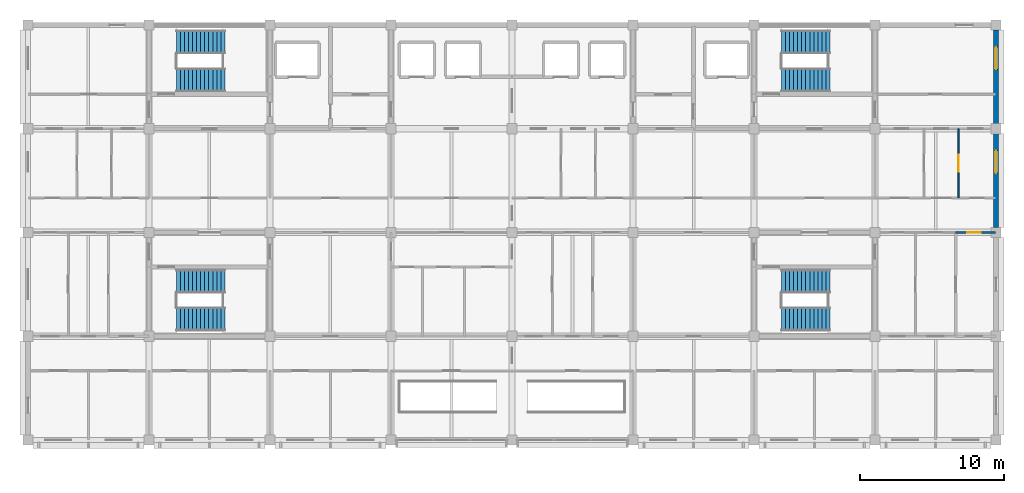
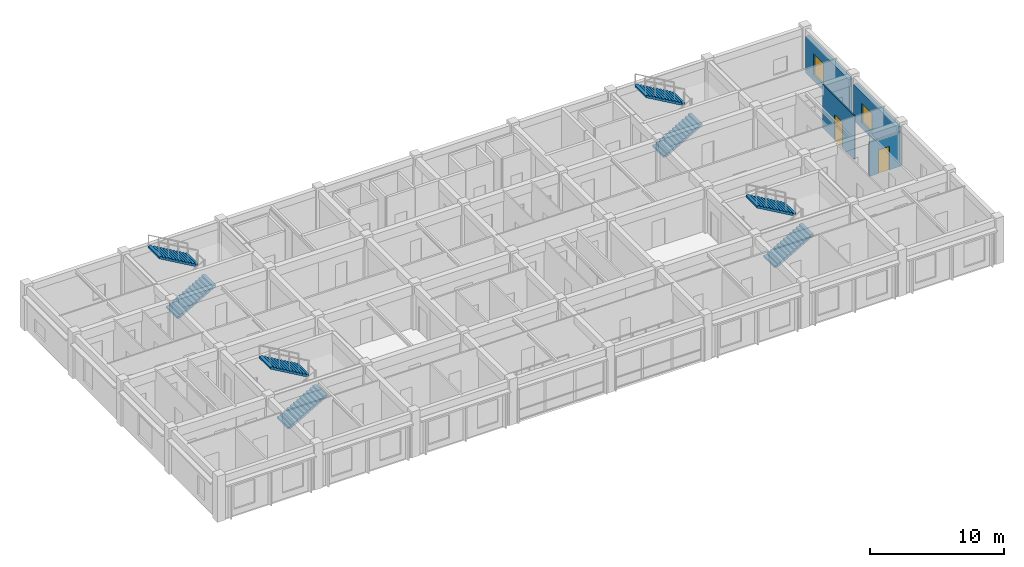
# One storey, part 15 of 17: 8 stair flights, 4 walls, 2 doors, 2 windows, 4 openings, 4 elements without a shape of their own.
"""IFC4 building model written with IfcOpenShell, lengths in metres."""

from ifc_helpers import new_model, si_unit, direction, frame, frame_2d, origin, place, context, subcontext, project, spatial, polyline, rectangle, outline, extrude, material, layer, layer_set, type_object, element, fill, aggregate, save


model = new_model("IFC4")

# Units and contexts
model_context = context("Model", 3, precision=1e-05, world=origin(), true_north=direction((0.0, 1.0)))
body_context = subcontext(model_context, "Body", "Model", "MODEL_VIEW")
ifc_project = project(units=[si_unit("LENGTHUNIT", "METRE"), si_unit("AREAUNIT", "SQUARE_METRE"), si_unit("VOLUMEUNIT", "CUBIC_METRE"), si_unit("PLANEANGLEUNIT", "RADIAN"), si_unit("MASSUNIT", "GRAM", prefix="KILO")], contexts=[model_context])

# Site, building, storey
site_placement = place(None, origin())
site = spatial("IfcSite", under=ifc_project, at=site_placement, CompositionType="ELEMENT")
building_placement = place(site_placement, origin())
building = spatial("IfcBuilding", under=site, at=building_placement, Name="Chengyuan Square Courthouse", CompositionType="ELEMENT")
storey_placement = place(building_placement, frame((0.0, 0.0, 51.89990234375)))
storey = spatial("IfcBuildingStorey", under=building, at=storey_placement, Name="L12", CompositionType="ELEMENT", Elevation=51.89990234375)

# Wall, opening, window
ifc_material_1 = material(Name="Concrete C40", Category="concrete")
ifc_layer_1 = layer(ifc_material_1, 0.320068359375)
ifc_layer_set_1 = layer_set([ifc_layer_1], Name="Concrete C40")
wall_type_1 = type_object("IfcWallType", Name="WL-EW3", PredefinedType="STANDARD", material=ifc_layer_set_1)
wall_1_placement = place(storey_placement, frame((117.60009765625, 93.945068359375, 0.0), z_axis=(0.0, 0.0, 1.0), x_axis=(0.0, 1.0, 0.0)))
wall_1 = element("IfcWall", 1, at=wall_1_placement, inside=storey, type_object=wall_type_1, Name="Exterior Wall WL-L12-E485", PredefinedType="STANDARD", context=body_context, shape_type="SweptSolid", body=[
    extrude(rectangle(XDim=6.510009765625, YDim=0.320068359375, at=frame_2d((3.2548828125, 0.0))), origin(), (0.0, 0.0, 1.0), 3.31005859375),
])
opening_1_placement = place(wall_1_placement, frame((3.780029296875, 0.0, 0.550048828125)))
opening_1 = element("IfcOpeningElement", 2, at=opening_1_placement, cuts=wall_1, Name="Opening WN-217", PredefinedType="OPENING", context=body_context, shape_type="SweptSolid", body=[
    extrude(rectangle(XDim=1.550048828125, YDim=1.739990234375, at=frame_2d((0.77490234375, 0.8701171875))), frame((0.0, 0.172119140625, 0.0), z_axis=(0.0, -1.0, 0.0), x_axis=(1.0, 0.0, 0.0)), (0.0, 0.0, 1.0), 0.343994140625),
])
ifc_material_2 = material(Name="Thermally Broken Aluminium Triple Low-E Window", Category="aluminium")
window_type_1 = type_object("IfcWindowType", Name="WT-28", PartitioningType="SINGLE_PANEL", PredefinedType="WINDOW", material=ifc_material_2)
window_1_placement = place(opening_1_placement, origin())
window_1 = element("IfcWindow", 3, at=window_1_placement, inside=storey, type_object=window_type_1, Name="Facade Window WN-217", OverallHeight=1.739990234375, OverallWidth=1.550048828125, PartitioningType="SINGLE_PANEL", PredefinedType="WINDOW", context=body_context, shape_type="SweptSolid", body=[
    extrude(rectangle(XDim=1.550048828125, YDim=1.739990234375, at=frame_2d((0.77490234375, 0.8701171875))), frame((0.0, 0.030029296875, 0.0), z_axis=(0.0, -1.0, 0.0), x_axis=(1.0, 0.0, 0.0)), (0.0, 0.0, 1.0), 0.06005859375),
])
fill(opening_1, window_1)

wall_2_placement = place(storey_placement, frame((117.60009765625, 101.14501953125, 0.0), z_axis=(0.0, 0.0, 1.0), x_axis=(0.0, 1.0, 0.0)))
wall_2 = element("IfcWall", 4, at=wall_2_placement, inside=storey, type_object=wall_type_1, Name="Exterior Wall WL-L12-E487", PredefinedType="STANDARD", context=body_context, shape_type="SweptSolid", body=[
    extrude(rectangle(XDim=6.510009765625, YDim=0.320068359375, at=frame_2d((3.2548828125, 0.0))), origin(), (0.0, 0.0, 1.0), 3.31005859375),
])
opening_2_placement = place(wall_2_placement, frame((3.780029296875, 0.0, 0.550048828125)))
opening_2 = element("IfcOpeningElement", 5, at=opening_2_placement, cuts=wall_2, Name="Opening WN-219", PredefinedType="OPENING", context=body_context, shape_type="SweptSolid", body=[
    extrude(rectangle(XDim=1.550048828125, YDim=1.919921875, at=frame_2d((0.77490234375, 0.9599609375))), frame((0.0, 0.172119140625, 0.0), z_axis=(0.0, -1.0, 0.0), x_axis=(1.0, 0.0, 0.0)), (0.0, 0.0, 1.0), 0.343994140625),
])
window_type_2 = type_object("IfcWindowType", Name="WT-29", PartitioningType="SINGLE_PANEL", PredefinedType="WINDOW", material=ifc_material_2)
window_2_placement = place(opening_2_placement, origin())
window_2 = element("IfcWindow", 6, at=window_2_placement, inside=storey, type_object=window_type_2, Name="Facade Window WN-219", OverallHeight=1.919921875, OverallWidth=1.550048828125, PartitioningType="SINGLE_PANEL", PredefinedType="WINDOW", context=body_context, shape_type="SweptSolid", body=[
    extrude(rectangle(XDim=1.550048828125, YDim=1.919921875, at=frame_2d((0.77490234375, 0.9599609375))), frame((0.0, 0.030029296875, 0.0), z_axis=(0.0, -1.0, 0.0), x_axis=(1.0, 0.0, 0.0)), (0.0, 0.0, 1.0), 0.06005859375),
])
fill(opening_2, window_2)

# Wall, opening, door
ifc_material_3 = material(Name="Deliberation Room Sound-Insulated Partition")
ifc_layer_2 = layer(ifc_material_3, 0.14990234375)
ifc_layer_set_2 = layer_set([ifc_layer_2], Name="Deliberation Room Sound-Insulated Partition")
wall_type_2 = type_object("IfcWallType", Name="WL-PT3", PredefinedType="STANDARD", material=ifc_layer_set_2)
wall_3_placement = place(storey_placement, frame((114.800048828125, 93.60009765625, 0.0), z_axis=(0.0, 0.0, 1.0), x_axis=(1.0, 0.0, 0.0)))
wall_3 = element("IfcWall", 7, at=wall_3_placement, inside=storey, type_object=wall_type_2, Name="Interior Wall WL-L12-I3661", PredefinedType="STANDARD", context=body_context, shape_type="SweptSolid", body=[
    extrude(rectangle(XDim=2.760009765625, YDim=0.14990234375, at=frame_2d((1.3798828125, 0.0))), origin(), (0.0, 0.0, 1.0), 3.110107421875),
])
opening_3_placement = place(wall_3_placement, frame((0.804931640625, 0.0, 0.0)))
opening_3 = element("IfcOpeningElement", 8, at=opening_3_placement, cuts=wall_3, Name="Opening DR-3084", PredefinedType="OPENING", context=body_context, shape_type="SweptSolid", body=[
    extrude(rectangle(XDim=0.919921875, YDim=2.14990234375, at=frame_2d((0.4599609375, 1.074951171875))), frame((0.0, 0.0869140625, 0.0), z_axis=(0.0, -1.0, 0.0), x_axis=(1.0, 0.0, 0.0)), (0.0, 0.0, 1.0), 0.173828125),
])
ifc_material_4 = material(Name="Acoustic Solid-Core Timber Door", Category="wood")
door_type_1 = type_object("IfcDoorType", Name="DT-29", OperationType="NOTDEFINED", PredefinedType="DOOR", material=ifc_material_4)
door_1_placement = place(opening_3_placement, origin())
door_1 = element("IfcDoor", 9, at=door_1_placement, inside=storey, type_object=door_type_1, Name="Interior Door DR-3084", OperationType="SINGLE_SWING_LEFT", OverallHeight=2.14990234375, OverallWidth=0.919921875, PredefinedType="DOOR", context=body_context, shape_type="SweptSolid", body=[
    extrude(rectangle(XDim=0.919921875, YDim=2.14990234375, at=frame_2d((0.4599609375, 1.074951171875))), frame((0.0, 0.02490234375, 0.0), z_axis=(0.0, -1.0, 0.0), x_axis=(1.0, 0.0, 0.0)), (0.0, 0.0, 1.0), 0.050048828125),
])
fill(opening_3, door_1)

ifc_material_5 = material(Name="Gypsum Plasterboard Acoustic Stud Partition")
ifc_layer_3 = layer(ifc_material_5, 0.10009765625)
ifc_layer_set_3 = layer_set([ifc_layer_3], Name="Gypsum Plasterboard Acoustic Stud Partition")
wall_type_3 = type_object("IfcWallType", Name="WL-PT6", PredefinedType="STANDARD", material=ifc_layer_set_3)
wall_4_placement = place(storey_placement, frame((115.0, 96.0, 0.0), z_axis=(0.0, 0.0, 1.0), x_axis=(0.0, 1.0, 0.0)))
wall_4 = element("IfcWall", 10, at=wall_4_placement, inside=storey, type_object=wall_type_3, Name="Interior Wall WL-L12-I3767", PredefinedType="STANDARD", context=body_context, shape_type="SweptSolid", body=[
    extrude(rectangle(XDim=4.800048828125, YDim=0.10009765625, at=frame_2d((2.39990234375, 0.0))), origin(), (0.0, 0.0, 1.0), 3.960205078125),
])
opening_4_placement = place(wall_4_placement, frame((1.820068359375, 0.0, 0.0)))
opening_4 = element("IfcOpeningElement", 11, at=opening_4_placement, cuts=wall_4, Name="Opening DR-3090", PredefinedType="OPENING", context=body_context, shape_type="SweptSolid", body=[
    extrude(rectangle(XDim=1.159912109375, YDim=2.300048828125, at=frame_2d((0.580078125, 1.14990234375))), frame((0.0, 0.06201171875, 0.0), z_axis=(0.0, -1.0, 0.0), x_axis=(1.0, 0.0, 0.0)), (0.0, 0.0, 1.0), 0.1240234375),
])
door_type_2 = type_object("IfcDoorType", Name="DT-35", OperationType="NOTDEFINED", PredefinedType="DOOR", material=ifc_material_4)
door_2_placement = place(opening_4_placement, origin())
door_2 = element("IfcDoor", 12, at=door_2_placement, inside=storey, type_object=door_type_2, Name="Interior Door DR-3090", OperationType="SINGLE_SWING_LEFT", OverallHeight=2.300048828125, OverallWidth=1.159912109375, PredefinedType="DOOR", context=body_context, shape_type="SweptSolid", body=[
    extrude(rectangle(XDim=1.159912109375, YDim=2.300048828125, at=frame_2d((0.580078125, 1.14990234375))), frame((0.0, 0.02490234375, 0.0), z_axis=(0.0, -1.0, 0.0), x_axis=(1.0, 0.0, 0.0)), (0.0, 0.0, 1.0), 0.050048828125),
])
fill(opening_4, door_2)

# Stair, stair flights
stair_type_1 = type_object("IfcStairType", Name="ST-TYPE-01", PredefinedType="HALF_TURN_STAIR", material=ifc_material_1)
stair_1_placement = place(storey_placement, origin())
stair_1 = element("IfcStair", 13, at=stair_1_placement, inside=storey, type_object=stair_type_1, Name="Smoke-Proof Exit Stair ST-1 (L12 to L13)", PredefinedType="HALF_TURN_STAIR")
stair_flight_type_1 = type_object("IfcStairFlightType", Name="STF-TYPE-01", PredefinedType="STRAIGHT", material=ifc_material_1)
stair_flight_1_placement = place(storey_placement, frame((60.7099609375, 104.175048828125, 0.0), z_axis=(0.0, 0.0, 1.0), x_axis=(1.0, 0.0, 0.0)))
stair_flight_1 = element("IfcStairFlight", 14, at=stair_flight_1_placement, type_object=stair_flight_type_1, Name="ST-1 flight 1", NumberOfRisers=13, NumberOfTreads=12, PredefinedType="STRAIGHT", RiserHeight=0.161538462, TreadLength=0.28, context=body_context, shape_type="SweptSolid", body=[
    extrude(outline(polyline([(0.0, 0.0), (0.0, 0.16162109375), (0.280029296875, 0.16162109375), (0.280029296875, 0.322998046875), (0.56005859375, 0.322998046875), (0.56005859375, 0.484619140625), (0.840087890625, 0.484619140625), (0.840087890625, 0.646240234375), (1.1201171875, 0.646240234375), (1.1201171875, 0.8076171875), (1.39990234375, 0.8076171875), (1.39990234375, 0.96923828125), (1.679931640625, 0.96923828125), (1.679931640625, 1.130859375), (1.9599609375, 1.130859375), (1.9599609375, 1.292236328125), (2.239990234375, 1.292236328125), (2.239990234375, 1.453857421875), (2.52001953125, 1.453857421875), (2.52001953125, 1.615478515625), (2.800048828125, 1.615478515625), (2.800048828125, 1.77685546875), (3.080078125, 1.77685546875), (3.080078125, 1.9384765625), (3.360107421875, 1.9384765625), (3.360107421875, 2.10009765625), (3.360107421875, 1.765380859375), (0.300048828125, 0.0), (0.0, 0.0)])), frame((0.0, 0.824951171875, 0.0), z_axis=(0.0, -1.0, 0.0), x_axis=(1.0, 0.0, 0.0)), (0.0, 0.0, 1.0), 1.64990234375),
])
stair_flight_2_placement = place(storey_placement, frame((64.070068359375, 106.824951171875, 2.10009765625), z_axis=(0.0, 0.0, 1.0), x_axis=(-1.0, 0.0, 0.0)))
stair_flight_2 = element("IfcStairFlight", 15, at=stair_flight_2_placement, type_object=stair_flight_type_1, Name="ST-1 flight 2", NumberOfRisers=13, NumberOfTreads=12, PredefinedType="STRAIGHT", RiserHeight=0.161538462, TreadLength=0.28, context=body_context, shape_type="SweptSolid", body=[
    extrude(outline(polyline([(0.0, 0.0), (0.0, 0.16162109375), (0.280029296875, 0.16162109375), (0.280029296875, 0.322998046875), (0.56005859375, 0.322998046875), (0.56005859375, 0.484619140625), (0.840087890625, 0.484619140625), (0.840087890625, 0.646240234375), (1.1201171875, 0.646240234375), (1.1201171875, 0.8076171875), (1.39990234375, 0.8076171875), (1.39990234375, 0.96923828125), (1.679931640625, 0.96923828125), (1.679931640625, 1.130859375), (1.9599609375, 1.130859375), (1.9599609375, 1.292236328125), (2.239990234375, 1.292236328125), (2.239990234375, 1.453857421875), (2.52001953125, 1.453857421875), (2.52001953125, 1.615478515625), (2.800048828125, 1.615478515625), (2.800048828125, 1.77685546875), (3.080078125, 1.77685546875), (3.080078125, 1.9384765625), (3.360107421875, 1.9384765625), (3.360107421875, 2.10009765625), (3.360107421875, 1.765380859375), (0.300048828125, 0.0), (0.0, 0.0)])), frame((0.0, 0.824951171875, 0.0), z_axis=(0.0, -1.0, 0.0), x_axis=(1.0, 0.0, 0.0)), (0.0, 0.0, 1.0), 1.64990234375),
])
aggregate(stair_1, [stair_flight_1, stair_flight_2])

stair_type_2 = type_object("IfcStairType", Name="ST-TYPE-02", PredefinedType="HALF_TURN_STAIR", material=ifc_material_1)
stair_2_placement = place(storey_placement, origin())
stair_2 = element("IfcStair", 16, at=stair_2_placement, inside=storey, type_object=stair_type_2, Name="Smoke-Proof Exit Stair ST-2 (L12 to L13)", PredefinedType="HALF_TURN_STAIR")
stair_flight_type_2 = type_object("IfcStairFlightType", Name="STF-TYPE-02", PredefinedType="STRAIGHT", material=ifc_material_1)
stair_flight_3_placement = place(storey_placement, frame((102.7099609375, 104.175048828125, 0.0), z_axis=(0.0, 0.0, 1.0), x_axis=(1.0, 0.0, 0.0)))
stair_flight_3 = element("IfcStairFlight", 17, at=stair_flight_3_placement, type_object=stair_flight_type_2, Name="ST-2 flight 1", NumberOfRisers=13, NumberOfTreads=12, PredefinedType="STRAIGHT", RiserHeight=0.161538462, TreadLength=0.28, context=body_context, shape_type="SweptSolid", body=[
    extrude(outline(polyline([(0.0, 0.0), (0.0, 0.16162109375), (0.280029296875, 0.16162109375), (0.280029296875, 0.322998046875), (0.56005859375, 0.322998046875), (0.56005859375, 0.484619140625), (0.840087890625, 0.484619140625), (0.840087890625, 0.646240234375), (1.1201171875, 0.646240234375), (1.1201171875, 0.8076171875), (1.39990234375, 0.8076171875), (1.39990234375, 0.96923828125), (1.679931640625, 0.96923828125), (1.679931640625, 1.130859375), (1.9599609375, 1.130859375), (1.9599609375, 1.292236328125), (2.239990234375, 1.292236328125), (2.239990234375, 1.453857421875), (2.52001953125, 1.453857421875), (2.52001953125, 1.615478515625), (2.800048828125, 1.615478515625), (2.800048828125, 1.77685546875), (3.080078125, 1.77685546875), (3.080078125, 1.9384765625), (3.360107421875, 1.9384765625), (3.360107421875, 2.10009765625), (3.360107421875, 1.765380859375), (0.300048828125, 0.0), (0.0, 0.0)])), frame((0.0, 0.824951171875, 0.0), z_axis=(0.0, -1.0, 0.0), x_axis=(1.0, 0.0, 0.0)), (0.0, 0.0, 1.0), 1.64990234375),
])
stair_flight_4_placement = place(storey_placement, frame((106.070068359375, 106.824951171875, 2.10009765625), z_axis=(0.0, 0.0, 1.0), x_axis=(-1.0, 0.0, 0.0)))
stair_flight_4 = element("IfcStairFlight", 18, at=stair_flight_4_placement, type_object=stair_flight_type_2, Name="ST-2 flight 2", NumberOfRisers=13, NumberOfTreads=12, PredefinedType="STRAIGHT", RiserHeight=0.161538462, TreadLength=0.28, context=body_context, shape_type="SweptSolid", body=[
    extrude(outline(polyline([(0.0, 0.0), (0.0, 0.16162109375), (0.280029296875, 0.16162109375), (0.280029296875, 0.322998046875), (0.56005859375, 0.322998046875), (0.56005859375, 0.484619140625), (0.840087890625, 0.484619140625), (0.840087890625, 0.646240234375), (1.1201171875, 0.646240234375), (1.1201171875, 0.8076171875), (1.39990234375, 0.8076171875), (1.39990234375, 0.96923828125), (1.679931640625, 0.96923828125), (1.679931640625, 1.130859375), (1.9599609375, 1.130859375), (1.9599609375, 1.292236328125), (2.239990234375, 1.292236328125), (2.239990234375, 1.453857421875), (2.52001953125, 1.453857421875), (2.52001953125, 1.615478515625), (2.800048828125, 1.615478515625), (2.800048828125, 1.77685546875), (3.080078125, 1.77685546875), (3.080078125, 1.9384765625), (3.360107421875, 1.9384765625), (3.360107421875, 2.10009765625), (3.360107421875, 1.765380859375), (0.300048828125, 0.0), (0.0, 0.0)])), frame((0.0, 0.824951171875, 0.0), z_axis=(0.0, -1.0, 0.0), x_axis=(1.0, 0.0, 0.0)), (0.0, 0.0, 1.0), 1.64990234375),
])
aggregate(stair_2, [stair_flight_3, stair_flight_4])

stair_type_3 = type_object("IfcStairType", Name="ST-TYPE-03", PredefinedType="HALF_TURN_STAIR", material=ifc_material_1)
stair_3_placement = place(storey_placement, origin())
stair_3 = element("IfcStair", 19, at=stair_3_placement, inside=storey, type_object=stair_type_3, Name="Smoke-Proof Exit Stair ST-3 (L12 to L13)", PredefinedType="HALF_TURN_STAIR")
stair_flight_type_3 = type_object("IfcStairFlightType", Name="STF-TYPE-03", PredefinedType="STRAIGHT", material=ifc_material_1)
stair_flight_5_placement = place(storey_placement, frame((60.7099609375, 87.574951171875, 0.0), z_axis=(0.0, 0.0, 1.0), x_axis=(1.0, 0.0, 0.0)))
stair_flight_5 = element("IfcStairFlight", 20, at=stair_flight_5_placement, type_object=stair_flight_type_3, Name="ST-3 flight 1", NumberOfRisers=13, NumberOfTreads=12, PredefinedType="STRAIGHT", RiserHeight=0.161538462, TreadLength=0.28, context=body_context, shape_type="SweptSolid", body=[
    extrude(outline(polyline([(0.0, 0.0), (0.0, 0.16162109375), (0.280029296875, 0.16162109375), (0.280029296875, 0.322998046875), (0.56005859375, 0.322998046875), (0.56005859375, 0.484619140625), (0.840087890625, 0.484619140625), (0.840087890625, 0.646240234375), (1.1201171875, 0.646240234375), (1.1201171875, 0.8076171875), (1.39990234375, 0.8076171875), (1.39990234375, 0.96923828125), (1.679931640625, 0.96923828125), (1.679931640625, 1.130859375), (1.9599609375, 1.130859375), (1.9599609375, 1.292236328125), (2.239990234375, 1.292236328125), (2.239990234375, 1.453857421875), (2.52001953125, 1.453857421875), (2.52001953125, 1.615478515625), (2.800048828125, 1.615478515625), (2.800048828125, 1.77685546875), (3.080078125, 1.77685546875), (3.080078125, 1.9384765625), (3.360107421875, 1.9384765625), (3.360107421875, 2.10009765625), (3.360107421875, 1.765380859375), (0.300048828125, 0.0), (0.0, 0.0)])), frame((0.0, 0.824951171875, 0.0), z_axis=(0.0, -1.0, 0.0), x_axis=(1.0, 0.0, 0.0)), (0.0, 0.0, 1.0), 1.64990234375),
])
stair_flight_6_placement = place(storey_placement, frame((64.070068359375, 90.22509765625, 2.10009765625), z_axis=(0.0, 0.0, 1.0), x_axis=(-1.0, 0.0, 0.0)))
stair_flight_6 = element("IfcStairFlight", 21, at=stair_flight_6_placement, type_object=stair_flight_type_3, Name="ST-3 flight 2", NumberOfRisers=13, NumberOfTreads=12, PredefinedType="STRAIGHT", RiserHeight=0.161538462, TreadLength=0.28, context=body_context, shape_type="SweptSolid", body=[
    extrude(outline(polyline([(0.0, 0.0), (0.0, 0.16162109375), (0.280029296875, 0.16162109375), (0.280029296875, 0.322998046875), (0.56005859375, 0.322998046875), (0.56005859375, 0.484619140625), (0.840087890625, 0.484619140625), (0.840087890625, 0.646240234375), (1.1201171875, 0.646240234375), (1.1201171875, 0.8076171875), (1.39990234375, 0.8076171875), (1.39990234375, 0.96923828125), (1.679931640625, 0.96923828125), (1.679931640625, 1.130859375), (1.9599609375, 1.130859375), (1.9599609375, 1.292236328125), (2.239990234375, 1.292236328125), (2.239990234375, 1.453857421875), (2.52001953125, 1.453857421875), (2.52001953125, 1.615478515625), (2.800048828125, 1.615478515625), (2.800048828125, 1.77685546875), (3.080078125, 1.77685546875), (3.080078125, 1.9384765625), (3.360107421875, 1.9384765625), (3.360107421875, 2.10009765625), (3.360107421875, 1.765380859375), (0.300048828125, 0.0), (0.0, 0.0)])), frame((0.0, 0.824951171875, 0.0), z_axis=(0.0, -1.0, 0.0), x_axis=(1.0, 0.0, 0.0)), (0.0, 0.0, 1.0), 1.64990234375),
])
aggregate(stair_3, [stair_flight_5, stair_flight_6])

stair_type_4 = type_object("IfcStairType", Name="ST-TYPE-04", PredefinedType="HALF_TURN_STAIR", material=ifc_material_1)
stair_4_placement = place(storey_placement, origin())
stair_4 = element("IfcStair", 22, at=stair_4_placement, inside=storey, type_object=stair_type_4, Name="Smoke-Proof Exit Stair ST-4 (L12 to L13)", PredefinedType="HALF_TURN_STAIR")
stair_flight_type_4 = type_object("IfcStairFlightType", Name="STF-TYPE-04", PredefinedType="STRAIGHT", material=ifc_material_1)
stair_flight_7_placement = place(storey_placement, frame((102.7099609375, 87.574951171875, 0.0), z_axis=(0.0, 0.0, 1.0), x_axis=(1.0, 0.0, 0.0)))
stair_flight_7 = element("IfcStairFlight", 23, at=stair_flight_7_placement, type_object=stair_flight_type_4, Name="ST-4 flight 1", NumberOfRisers=13, NumberOfTreads=12, PredefinedType="STRAIGHT", RiserHeight=0.161538462, TreadLength=0.28, context=body_context, shape_type="SweptSolid", body=[
    extrude(outline(polyline([(0.0, 0.0), (0.0, 0.16162109375), (0.280029296875, 0.16162109375), (0.280029296875, 0.322998046875), (0.56005859375, 0.322998046875), (0.56005859375, 0.484619140625), (0.840087890625, 0.484619140625), (0.840087890625, 0.646240234375), (1.1201171875, 0.646240234375), (1.1201171875, 0.8076171875), (1.39990234375, 0.8076171875), (1.39990234375, 0.96923828125), (1.679931640625, 0.96923828125), (1.679931640625, 1.130859375), (1.9599609375, 1.130859375), (1.9599609375, 1.292236328125), (2.239990234375, 1.292236328125), (2.239990234375, 1.453857421875), (2.52001953125, 1.453857421875), (2.52001953125, 1.615478515625), (2.800048828125, 1.615478515625), (2.800048828125, 1.77685546875), (3.080078125, 1.77685546875), (3.080078125, 1.9384765625), (3.360107421875, 1.9384765625), (3.360107421875, 2.10009765625), (3.360107421875, 1.765380859375), (0.300048828125, 0.0), (0.0, 0.0)])), frame((0.0, 0.824951171875, 0.0), z_axis=(0.0, -1.0, 0.0), x_axis=(1.0, 0.0, 0.0)), (0.0, 0.0, 1.0), 1.64990234375),
])
stair_flight_8_placement = place(storey_placement, frame((106.070068359375, 90.22509765625, 2.10009765625), z_axis=(0.0, 0.0, 1.0), x_axis=(-1.0, 0.0, 0.0)))
stair_flight_8 = element("IfcStairFlight", 24, at=stair_flight_8_placement, type_object=stair_flight_type_4, Name="ST-4 flight 2", NumberOfRisers=13, NumberOfTreads=12, PredefinedType="STRAIGHT", RiserHeight=0.161538462, TreadLength=0.28, context=body_context, shape_type="SweptSolid", body=[
    extrude(outline(polyline([(0.0, 0.0), (0.0, 0.16162109375), (0.280029296875, 0.16162109375), (0.280029296875, 0.322998046875), (0.56005859375, 0.322998046875), (0.56005859375, 0.484619140625), (0.840087890625, 0.484619140625), (0.840087890625, 0.646240234375), (1.1201171875, 0.646240234375), (1.1201171875, 0.8076171875), (1.39990234375, 0.8076171875), (1.39990234375, 0.96923828125), (1.679931640625, 0.96923828125), (1.679931640625, 1.130859375), (1.9599609375, 1.130859375), (1.9599609375, 1.292236328125), (2.239990234375, 1.292236328125), (2.239990234375, 1.453857421875), (2.52001953125, 1.453857421875), (2.52001953125, 1.615478515625), (2.800048828125, 1.615478515625), (2.800048828125, 1.77685546875), (3.080078125, 1.77685546875), (3.080078125, 1.9384765625), (3.360107421875, 1.9384765625), (3.360107421875, 2.10009765625), (3.360107421875, 1.765380859375), (0.300048828125, 0.0), (0.0, 0.0)])), frame((0.0, 0.824951171875, 0.0), z_axis=(0.0, -1.0, 0.0), x_axis=(1.0, 0.0, 0.0)), (0.0, 0.0, 1.0), 1.64990234375),
])
aggregate(stair_4, [stair_flight_7, stair_flight_8])

save(model, "model.ifc")
